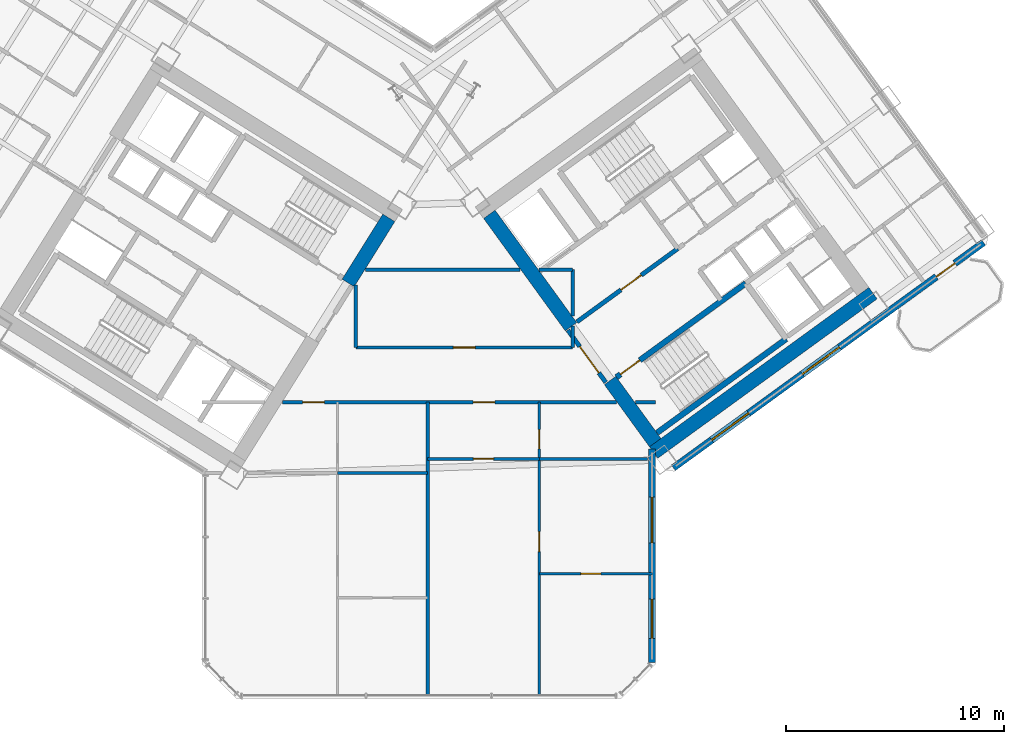
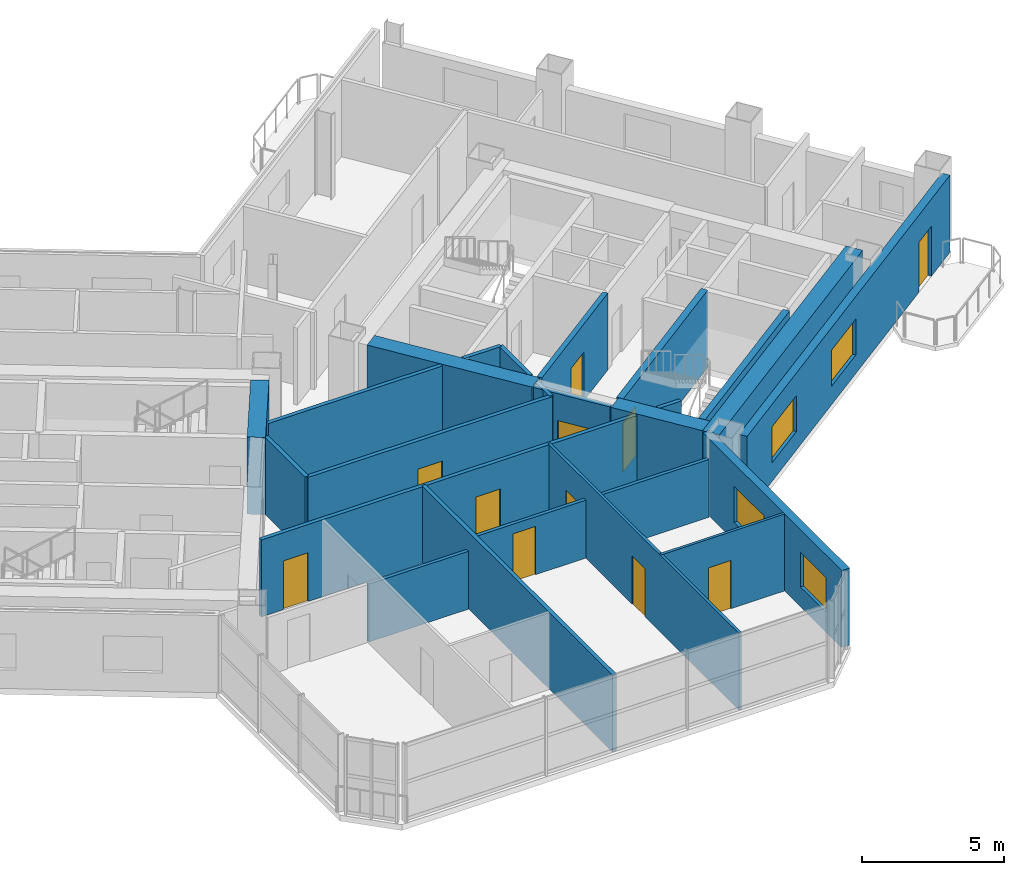
# One storey, part 13 of 21: 24 walls, 11 doors, 4 windows, 15 openings.
"""IFC4 building model written with IfcOpenShell, lengths in metres."""

from ifc_helpers import new_model, si_unit, direction, frame, frame_2d, origin, place, context, subcontext, project, spatial, rectangle, extrude, source, transform, mapped, material, layer, layer_set, type_object, element, fill, save


model = new_model("IFC4")

# Units and contexts
model_context = context("Model", 3, precision=1e-05, world=origin(), true_north=direction((0.0, 1.0)))
body_context = subcontext(model_context, "Body", "Model", "MODEL_VIEW")
ifc_project = project(units=[si_unit("LENGTHUNIT", "METRE"), si_unit("AREAUNIT", "SQUARE_METRE"), si_unit("VOLUMEUNIT", "CUBIC_METRE"), si_unit("PLANEANGLEUNIT", "RADIAN"), si_unit("MASSUNIT", "GRAM", prefix="KILO")], contexts=[model_context])

# Site, building, storey
site_placement = place(None, origin())
site = spatial("IfcSite", under=ifc_project, at=site_placement, CompositionType="ELEMENT")
building_placement = place(site_placement, origin())
building = spatial("IfcBuilding", under=site, at=building_placement, Name="Tlacorven Tower", CompositionType="ELEMENT")
storey_placement = place(building_placement, frame((0.0, 0.0, 81.0)))
storey = spatial("IfcBuildingStorey", under=building, at=storey_placement, Name="L20", CompositionType="ELEMENT", Elevation=81.0)

# Walls
ifc_material_1 = material(Name="Concrete C60/75", Category="concrete")
ifc_layer_1 = layer(ifc_material_1, 0.64990234375)
ifc_layer_set_1 = layer_set([ifc_layer_1], Name="Concrete C60/75")
wall_type_1 = type_object("IfcWallType", Name="WL-COR-650", PredefinedType="SHEAR", material=ifc_layer_set_1)
wall_1_placement = place(storey_placement, frame((40.167724609375, 23.880126953125, 0.0), z_axis=(0.0, 0.0, 1.0), x_axis=(-0.529893103397, -0.8480644427, 0.0)))
element("IfcWall", 1, at=wall_1_placement, inside=storey, type_object=wall_type_1, Name="L20 W core end wall E1.1", PredefinedType="SHEAR", context=body_context, shape_type="SweptSolid", body=[
    extrude(rectangle(XDim=3.525146484375, YDim=0.64990234375, at=frame_2d((1.7626953125, 0.0))), origin(), (0.0, 0.0, 1.0), 3.320068359375),
])
wall_2_placement = place(storey_placement, frame((52.318359375, 13.1103515625, 0.0), z_axis=(0.0, 0.0, 1.0), x_axis=(0.809019445368, 0.587781878776, 0.0)))
element("IfcWall", 2, at=wall_2_placement, inside=storey, type_object=wall_type_1, Name="L20 E core shear wall S1", PredefinedType="SHEAR", context=body_context, shape_type="SweptSolid", body=[
    extrude(rectangle(XDim=12.43994140625, YDim=0.64990234375, at=frame_2d((6.219970703125, 0.0))), origin(), (0.0, 0.0, 1.0), 3.320068359375),
])
wall_3_placement = place(storey_placement, frame((52.390380859375, 13.564208984375, 0.0), z_axis=(0.0, 0.0, 1.0), x_axis=(-0.58779688989, 0.809008539037, 0.0)))
element("IfcWall", 3, at=wall_3_placement, inside=storey, type_object=wall_type_1, Name="L20 E core end wall E1.1", PredefinedType="SHEAR", context=body_context, shape_type="SweptSolid", body=[
    extrude(rectangle(XDim=3.525146484375, YDim=0.64990234375, at=frame_2d((1.7626953125, 0.0))), origin(), (0.0, 0.0, 1.0), 3.320068359375),
])
wall_4_placement = place(storey_placement, frame((48.525634765625, 18.883544921875, 0.0), z_axis=(0.0, 0.0, 1.0), x_axis=(-0.58777996584, 0.809020835181, 0.0)))
element("IfcWall", 4, at=wall_4_placement, inside=storey, type_object=wall_type_1, Name="L20 E core end wall E1.2", PredefinedType="SHEAR", context=body_context, shape_type="SweptSolid", body=[
    extrude(rectangle(XDim=6.375, YDim=0.64990234375, at=frame_2d((3.1875, 0.0))), origin(), (0.0, 0.0, 1.0), 3.320068359375),
])

# Wall, openings, doors
ifc_material_2 = material(Name="Gypsum plasterboard acoustic partition", Category="gypsum")
ifc_layer_2 = layer(ifc_material_2, 0.159912109375)
ifc_layer_set_2 = layer_set([ifc_layer_2], Name="Gypsum plasterboard acoustic partition")
wall_type_2 = type_object("IfcWallType", Name="WL-DEM-160", PredefinedType="PARTITIONING", material=ifc_layer_set_2)
wall_5_placement = place(storey_placement, frame((35.29638671875, 15.419921875, 0.0), z_axis=(0.0, 0.0, 1.0), x_axis=(1.0, 0.0, 0.0)))
wall_5 = element("IfcWall", 5, at=wall_5_placement, inside=storey, type_object=wall_type_2, Name="L20 Knuckle Corridor South Wall", PredefinedType="PARTITIONING", context=body_context, shape_type="SweptSolid", body=[
    extrude(rectangle(XDim=15.310546875, YDim=0.159912109375, at=frame_2d((7.6552734375, 0.0))), origin(), (0.0, 0.0, 1.0), 3.31005859375),
])
opening_1_placement = place(wall_5_placement, frame((0.91015625, 0.0, 0.0)))
opening_1 = element("IfcOpeningElement", 6, at=opening_1_placement, cuts=wall_5, Name="Opening D11", PredefinedType="OPENING", context=body_context, shape_type="SweptSolid", body=[
    extrude(rectangle(XDim=1.0, YDim=2.10009765625, at=frame_2d((0.5, 1.050048828125))), frame((0.0, 0.08984375, 0.0), z_axis=(0.0, -1.0, 0.0), x_axis=(1.0, 0.0, 0.0)), (0.0, 0.0, 1.0), 0.179931640625),
])
opening_2_placement = place(wall_5_placement, frame((8.73974609375, 0.0, 0.0)))
opening_2 = element("IfcOpeningElement", 7, at=opening_2_placement, cuts=wall_5, Name="Opening D11", PredefinedType="OPENING", context=body_context, shape_type="SweptSolid", body=[
    extrude(rectangle(XDim=1.0, YDim=2.10009765625, at=frame_2d((0.5, 1.050048828125))), frame((0.0, 0.08984375, 0.0), z_axis=(0.0, -1.0, 0.0), x_axis=(1.0, 0.0, 0.0)), (0.0, 0.0, 1.0), 0.179931640625),
])
ifc_material_3 = material(Name="Fire-rated steel door assembly", Category="steel")
door_type_1 = type_object("IfcDoorType", Name="DR-FLT-FD60-1000", OperationType="NOTDEFINED", PredefinedType="DOOR", material=ifc_material_3)
shared_shape_1 = source(origin(), body_context, "Body", "SweptSolid", [
    extrude(rectangle(XDim=1.0, YDim=2.10009765625, at=frame_2d((0.5, 1.050048828125))), frame((0.0, 0.02490234375, 0.0), z_axis=(0.0, -1.0, 0.0), x_axis=(1.0, 0.0, 0.0)), (0.0, 0.0, 1.0), 0.050048828125),
])
door_1_placement = place(opening_1_placement, frame((1.0, 0.0, 0.0), z_axis=(0.0, 0.0, 1.0), x_axis=(-1.0, 0.0, 0.0)))
door_1 = element("IfcDoor", 8, at=door_1_placement, inside=storey, type_object=door_type_1, Name="L20 door 047", OperationType="SINGLE_SWING_LEFT", OverallHeight=2.10009765625, OverallWidth=1.0, PredefinedType="DOOR", context=body_context, shape_type="MappedRepresentation", body=[
    mapped(shared_shape_1, transform((0.0, 0.0, 0.0), scale=1.0)),
])
fill(opening_1, door_1)
door_2_placement = place(opening_2_placement, frame((1.0, 0.0, 0.0), z_axis=(0.0, 0.0, 1.0), x_axis=(-1.0, 0.0, 0.0)))
door_2 = element("IfcDoor", 9, at=door_2_placement, inside=storey, type_object=door_type_1, Name="L20 door 052", OperationType="SINGLE_SWING_RIGHT", OverallHeight=2.10009765625, OverallWidth=1.0, PredefinedType="DOOR", context=body_context, shape_type="MappedRepresentation", body=[
    mapped(shared_shape_1, transform((0.0, 0.0, 0.0), scale=1.0)),
])
fill(opening_2, door_2)

# Wall
wall_6_placement = place(storey_placement, frame((51.477294921875, 15.419921875, 0.0), z_axis=(0.0, 0.0, 1.0), x_axis=(1.0, 0.0, 0.0)))
element("IfcWall", 10, at=wall_6_placement, inside=storey, type_object=wall_type_2, Name="L20 Knuckle Corridor South Wall", PredefinedType="PARTITIONING", context=body_context, shape_type="SweptSolid", body=[
    extrude(rectangle(XDim=0.922607421875, YDim=0.159912109375, at=frame_2d((0.46142578125, 0.0))), origin(), (0.0, 0.0, 1.0), 3.31005859375),
])

# Wall, opening, door
wall_7_placement = place(storey_placement, frame((38.64990234375, 17.929931640625, 0.0), z_axis=(0.0, 0.0, 1.0), x_axis=(1.0, 0.0, 0.0)))
wall_7 = element("IfcWall", 11, at=wall_7_placement, inside=storey, type_object=wall_type_2, Name="L20 partition 76", PredefinedType="PARTITIONING", context=body_context, shape_type="SweptSolid", body=[
    extrude(rectangle(XDim=9.9501953125, YDim=0.159912109375, at=frame_2d((4.97509765625, 0.0))), origin(), (0.0, 0.0, 1.0), 3.31005859375),
])
opening_3_placement = place(wall_7_placement, frame((4.47509765625, 0.0, 0.0)))
opening_3 = element("IfcOpeningElement", 12, at=opening_3_placement, cuts=wall_7, Name="Opening D11", PredefinedType="OPENING", context=body_context, shape_type="SweptSolid", body=[
    extrude(rectangle(XDim=1.0, YDim=2.10009765625, at=frame_2d((0.5, 1.050048828125))), frame((0.0, 0.08984375, 0.0), z_axis=(0.0, -1.0, 0.0), x_axis=(1.0, 0.0, 0.0)), (0.0, 0.0, 1.0), 0.179931640625),
])
door_3_placement = place(opening_3_placement, origin())
door_3 = element("IfcDoor", 13, at=door_3_placement, inside=storey, type_object=door_type_1, Name="L20 door 042", OperationType="SINGLE_SWING_RIGHT", OverallHeight=2.10009765625, OverallWidth=1.0, PredefinedType="DOOR", context=body_context, shape_type="MappedRepresentation", body=[
    mapped(shared_shape_1, transform((0.0, 0.0, 0.0), scale=1.0)),
])
fill(opening_3, door_3)

# Walls
wall_8_placement = place(storey_placement, frame((38.64990234375, 17.929931640625, 0.0), z_axis=(0.0, 0.0, 1.0), x_axis=(0.0, 1.0, 0.0)))
element("IfcWall", 14, at=wall_8_placement, inside=storey, type_object=wall_type_2, Name="L20 partition 77", PredefinedType="PARTITIONING", context=body_context, shape_type="SweptSolid", body=[
    extrude(rectangle(XDim=2.85693359375, YDim=0.159912109375, at=frame_2d((1.428466796875, 0.0))), origin(), (0.0, 0.0, 1.0), 3.31005859375),
])
wall_9_placement = place(storey_placement, frame((48.60009765625, 17.929931640625, 0.0), z_axis=(0.0, 0.0, 1.0), x_axis=(0.0, 1.0, 0.0)))
element("IfcWall", 15, at=wall_9_placement, inside=storey, type_object=wall_type_2, Name="L20 partition 78", PredefinedType="PARTITIONING", context=body_context, shape_type="SweptSolid", body=[
    extrude(rectangle(XDim=0.99267578125, YDim=0.159912109375, at=frame_2d((0.496337890625, 0.0))), origin(), (0.0, 0.0, 1.0), 3.31005859375),
])
wall_10_placement = place(storey_placement, frame((48.60009765625, 19.380126953125, 0.0), z_axis=(0.0, 0.0, 1.0), x_axis=(0.0, 1.0, 0.0)))
element("IfcWall", 16, at=wall_10_placement, inside=storey, type_object=wall_type_2, Name="L20 partition 78", PredefinedType="PARTITIONING", context=body_context, shape_type="SweptSolid", body=[
    extrude(rectangle(XDim=2.119873046875, YDim=0.159912109375, at=frame_2d((1.06005859375, 0.0))), origin(), (0.0, 0.0, 1.0), 3.31005859375),
])
wall_11_placement = place(storey_placement, frame((39.095458984375, 21.5, 0.0), z_axis=(0.0, 0.0, 1.0), x_axis=(1.0, 0.0, 0.0)))
element("IfcWall", 17, at=wall_11_placement, inside=storey, type_object=wall_type_2, Name="L20 partition 79", PredefinedType="PARTITIONING", context=body_context, shape_type="SweptSolid", body=[
    extrude(rectangle(XDim=7.09423828125, YDim=0.159912109375, at=frame_2d((3.547119140625, 0.0))), origin(), (0.0, 0.0, 1.0), 3.31005859375),
])
wall_12_placement = place(storey_placement, frame((47.059814453125, 21.5, 0.0), z_axis=(0.0, 0.0, 1.0), x_axis=(1.0, 0.0, 0.0)))
element("IfcWall", 18, at=wall_12_placement, inside=storey, type_object=wall_type_2, Name="L20 partition 79", PredefinedType="PARTITIONING", context=body_context, shape_type="SweptSolid", body=[
    extrude(rectangle(XDim=1.540283203125, YDim=0.159912109375, at=frame_2d((0.77001953125, 0.0))), origin(), (0.0, 0.0, 1.0), 3.31005859375),
])
wall_13_placement = place(storey_placement, frame((41.949951171875, 1.9599609375, 0.0), z_axis=(0.0, 0.0, 1.0), x_axis=(0.0, 1.0, 0.0)))
element("IfcWall", 19, at=wall_13_placement, inside=storey, type_object=wall_type_2, Name="L20 Knuckle Demising Wall 1", PredefinedType="PARTITIONING", context=body_context, shape_type="SweptSolid", body=[
    extrude(rectangle(XDim=13.4599609375, YDim=0.159912109375, at=frame_2d((6.72998046875, 0.0))), origin(), (0.0, 0.0, 1.0), 3.31005859375),
])

# Wall, openings, door, windows
ifc_material_4 = material(Name="Precast concrete C45/55", Category="concrete")
ifc_layer_3 = layer(ifc_material_4, 0.320068359375)
ifc_layer_set_3 = layer_set([ifc_layer_3], Name="Precast concrete C45/55")
wall_type_3 = type_object("IfcWallType", Name="WL-EXT-320", PredefinedType="STANDARD", material=ifc_layer_set_3)
wall_14_placement = place(storey_placement, frame((67.45361328125, 22.746826171875, 0.0), z_axis=(0.0, 0.0, 1.0), x_axis=(-0.809021120468, -0.587779573171, 0.0)))
wall_14 = element("IfcWall", 20, at=wall_14_placement, inside=storey, type_object=wall_type_3, Name="L20 Masonry-Frame Recessed Facade Wall 6", PredefinedType="STANDARD", context=body_context, shape_type="SweptSolid", body=[
    extrude(rectangle(XDim=17.587646484375, YDim=0.320068359375, at=frame_2d((8.7939453125, 0.0))), origin(), (0.0, 0.0, 1.0), 3.320068359375),
])
opening_4_placement = place(wall_14_placement, frame((1.623779296875, 0.0, 0.0)))
opening_4 = element("IfcOpeningElement", 21, at=opening_4_placement, cuts=wall_14, Name="Opening D06", PredefinedType="OPENING", context=body_context, shape_type="SweptSolid", body=[
    extrude(rectangle(XDim=1.050048828125, YDim=2.14990234375, at=frame_2d((0.52490234375, 1.074951171875))), frame((0.0, 0.169921875, 0.0), z_axis=(0.0, -1.0, 0.0), x_axis=(1.0, 0.0, 0.0)), (0.0, 0.0, 1.0), 0.340087890625),
])
opening_5_placement = place(wall_14_placement, frame((8.168701171875, 0.0, 0.800048828125)))
opening_5 = element("IfcOpeningElement", 22, at=opening_5_placement, cuts=wall_14, Name="Opening WN04", PredefinedType="OPENING", context=body_context, shape_type="SweptSolid", body=[
    extrude(rectangle(XDim=2.10009765625, YDim=1.550048828125, at=frame_2d((1.050048828125, 0.77490234375))), frame((0.0, 0.169921875, 0.0), z_axis=(0.0, -1.0, 0.0), x_axis=(1.0, 0.0, 0.0)), (0.0, 0.0, 1.0), 0.340087890625),
])
opening_6_placement = place(wall_14_placement, frame((13.318603515625, 0.0, 0.800048828125)))
opening_6 = element("IfcOpeningElement", 23, at=opening_6_placement, cuts=wall_14, Name="Opening WN04", PredefinedType="OPENING", context=body_context, shape_type="SweptSolid", body=[
    extrude(rectangle(XDim=2.10009765625, YDim=1.550048828125, at=frame_2d((1.050048828125, 0.77490234375))), frame((0.0, 0.169921875, 0.0), z_axis=(0.0, -1.0, 0.0), x_axis=(1.0, 0.0, 0.0)), (0.0, 0.0, 1.0), 0.340087890625),
])
ifc_material_5 = material(Name="Powder-coated aluminium and timber door", Category="wood")
door_type_2 = type_object("IfcDoorType", Name="DR-EXT-BALC-1050", OperationType="NOTDEFINED", PredefinedType="DOOR", material=ifc_material_5)
shared_shape_2 = source(origin(), body_context, "Body", "SweptSolid", [
    extrude(rectangle(XDim=1.050048828125, YDim=2.14990234375, at=frame_2d((0.52490234375, 1.074951171875))), frame((0.0, 0.02490234375, 0.0), z_axis=(0.0, -1.0, 0.0), x_axis=(1.0, 0.0, 0.0)), (0.0, 0.0, 1.0), 0.050048828125),
])
door_4_placement = place(opening_4_placement, origin())
door_4 = element("IfcDoor", 24, at=door_4_placement, inside=storey, type_object=door_type_2, Name="L20 Outdoor Access Door BAL-L20-E-OUT", OperationType="SINGLE_SWING_LEFT", OverallHeight=2.14990234375, OverallWidth=1.050048828125, PredefinedType="DOOR", context=body_context, shape_type="MappedRepresentation", body=[
    mapped(shared_shape_2, transform((0.0, 0.0, 0.0), scale=1.0)),
])
fill(opening_4, door_4)
ifc_material_6 = material(Name="Dark solar low-E double glazing in anodised aluminium frame", Category="aluminium")
window_type_1 = type_object("IfcWindowType", Name="WN-APT-2100X1750", PartitioningType="SINGLE_PANEL", PredefinedType="WINDOW", material=ifc_material_6)
shared_shape_3 = source(origin(), body_context, "Body", "SweptSolid", [
    extrude(rectangle(XDim=2.10009765625, YDim=1.550048828125, at=frame_2d((1.050048828125, 0.77490234375))), frame((0.0, 0.030029296875, 0.0), z_axis=(0.0, -1.0, 0.0), x_axis=(1.0, 0.0, 0.0)), (0.0, 0.0, 1.0), 0.06005859375),
])
window_1_placement = place(opening_5_placement, origin())
window_1 = element("IfcWindow", 25, at=window_1_placement, inside=storey, type_object=window_type_1, Name="L20 Recessed Masonry-Frame Window L20-06.1", OverallHeight=1.550048828125, OverallWidth=2.10009765625, PartitioningType="SINGLE_PANEL", PredefinedType="WINDOW", context=body_context, shape_type="MappedRepresentation", body=[
    mapped(shared_shape_3, transform((0.0, 0.0, 0.0), scale=1.0)),
])
fill(opening_5, window_1)
window_2_placement = place(opening_6_placement, origin())
window_2 = element("IfcWindow", 26, at=window_2_placement, inside=storey, type_object=window_type_1, Name="L20 Recessed Masonry-Frame Window L20-06.2", OverallHeight=1.550048828125, OverallWidth=2.10009765625, PartitioningType="SINGLE_PANEL", PredefinedType="WINDOW", context=body_context, shape_type="MappedRepresentation", body=[
    mapped(shared_shape_3, transform((0.0, 0.0, 0.0), scale=1.0)),
])
fill(opening_6, window_2)

# Wall, openings, windows
wall_15_placement = place(storey_placement, frame((52.239990234375, 13.260986328125, 0.0), z_axis=(0.0, 0.0, 1.0), x_axis=(0.0, -1.0, 0.0)))
wall_15 = element("IfcWall", 27, at=wall_15_placement, inside=storey, type_object=wall_type_3, Name="L20 Masonry-Frame Recessed Facade Wall 7", PredefinedType="STANDARD", context=body_context, shape_type="SweptSolid", body=[
    extrude(rectangle(XDim=9.794677734375, YDim=0.320068359375, at=frame_2d((4.8974609375, 0.0))), origin(), (0.0, 0.0, 1.0), 3.320068359375),
])
opening_7_placement = place(wall_15_placement, frame((2.199462890625, 0.0, 0.800048828125)))
opening_7 = element("IfcOpeningElement", 28, at=opening_7_placement, cuts=wall_15, Name="Opening WN04", PredefinedType="OPENING", context=body_context, shape_type="SweptSolid", body=[
    extrude(rectangle(XDim=2.10009765625, YDim=1.550048828125, at=frame_2d((1.050048828125, 0.77490234375))), frame((0.0, 0.169921875, 0.0), z_axis=(0.0, -1.0, 0.0), x_axis=(1.0, 0.0, 0.0)), (0.0, 0.0, 1.0), 0.340087890625),
])
opening_8_placement = place(wall_15_placement, frame((6.880126953125, 0.0, 0.85009765625)))
opening_8 = element("IfcOpeningElement", 29, at=opening_8_placement, cuts=wall_15, Name="Opening WN01", PredefinedType="OPENING", context=body_context, shape_type="SweptSolid", body=[
    extrude(rectangle(XDim=1.800048828125, YDim=1.5, at=frame_2d((0.89990234375, 0.75))), frame((0.0, 0.169921875, 0.0), z_axis=(0.0, -1.0, 0.0), x_axis=(1.0, 0.0, 0.0)), (0.0, 0.0, 1.0), 0.340087890625),
])
window_3_placement = place(opening_7_placement, origin())
window_3 = element("IfcWindow", 30, at=window_3_placement, inside=storey, type_object=window_type_1, Name="L20 Recessed Masonry-Frame Window L20-07.1", OverallHeight=1.550048828125, OverallWidth=2.10009765625, PartitioningType="SINGLE_PANEL", PredefinedType="WINDOW", context=body_context, shape_type="MappedRepresentation", body=[
    mapped(shared_shape_3, transform((0.0, 0.0, 0.0), scale=1.0)),
])
fill(opening_7, window_3)
window_type_2 = type_object("IfcWindowType", Name="WN-APT-1800X1650", PartitioningType="SINGLE_PANEL", PredefinedType="WINDOW", material=ifc_material_6)
shared_shape_4 = source(origin(), body_context, "Body", "SweptSolid", [
    extrude(rectangle(XDim=1.800048828125, YDim=1.5, at=frame_2d((0.89990234375, 0.75))), frame((0.0, 0.030029296875, 0.0), z_axis=(0.0, -1.0, 0.0), x_axis=(1.0, 0.0, 0.0)), (0.0, 0.0, 1.0), 0.06005859375),
])
window_4_placement = place(opening_8_placement, origin())
window_4 = element("IfcWindow", 31, at=window_4_placement, inside=storey, type_object=window_type_2, Name="L20 Recessed Masonry-Frame Window L20-07.2", OverallHeight=1.5, OverallWidth=1.800048828125, PartitioningType="SINGLE_PANEL", PredefinedType="WINDOW", context=body_context, shape_type="MappedRepresentation", body=[
    mapped(shared_shape_4, transform((0.0, 0.0, 0.0), scale=1.0)),
])
fill(opening_8, window_4)

# Wall, openings, doors
ifc_material_7 = material(Name="Gypsum plasterboard partition", Category="gypsum")
ifc_layer_4 = layer(ifc_material_7, 0.110107421875)
ifc_layer_set_4 = layer_set([ifc_layer_4], Name="Gypsum plasterboard partition")
wall_type_4 = type_object("IfcWallType", Name="WL-INT-110", PredefinedType="PARTITIONING", material=ifc_layer_set_4)
wall_16_placement = place(storey_placement, frame((47.072021484375, 1.9599609375, 0.0), z_axis=(0.0, 0.0, 1.0), x_axis=(0.0, 1.0, 0.0)))
wall_16 = element("IfcWall", 32, at=wall_16_placement, inside=storey, type_object=wall_type_4, Name="L20 partition 86", PredefinedType="PARTITIONING", context=body_context, shape_type="SweptSolid", body=[
    extrude(rectangle(XDim=13.4599609375, YDim=0.110107421875, at=frame_2d((6.72998046875, 0.0))), origin(), (0.0, 0.0, 1.0), 3.31005859375),
])
opening_9_placement = place(wall_16_placement, frame((6.60009765625, 0.0, 0.0)))
opening_9 = element("IfcOpeningElement", 33, at=opening_9_placement, cuts=wall_16, Name="Opening D12", PredefinedType="OPENING", context=body_context, shape_type="SweptSolid", body=[
    extrude(rectangle(XDim=0.919921875, YDim=2.080078125, at=frame_2d((0.4599609375, 1.0400390625))), frame((0.0, 0.06494140625, 0.0), z_axis=(0.0, -1.0, 0.0), x_axis=(1.0, 0.0, 0.0)), (0.0, 0.0, 1.0), 0.130126953125),
])
opening_10_placement = place(wall_16_placement, frame((11.320068359375, 0.0, 0.0)))
opening_10 = element("IfcOpeningElement", 34, at=opening_10_placement, cuts=wall_16, Name="Opening D13", PredefinedType="OPENING", context=body_context, shape_type="SweptSolid", body=[
    extrude(rectangle(XDim=0.8798828125, YDim=2.080078125, at=frame_2d((0.43994140625, 1.0400390625))), frame((0.0, 0.06494140625, 0.0), z_axis=(0.0, -1.0, 0.0), x_axis=(1.0, 0.0, 0.0)), (0.0, 0.0, 1.0), 0.130126953125),
])
door_type_3 = type_object("IfcDoorType", Name="DR-INT-WET-0880", OperationType="NOTDEFINED", PredefinedType="DOOR", material=ifc_material_5)
shared_shape_5 = source(origin(), body_context, "Body", "SweptSolid", [
    extrude(rectangle(XDim=0.8798828125, YDim=2.080078125, at=frame_2d((0.43994140625, 1.0400390625))), frame((0.0, 0.02490234375, 0.0), z_axis=(0.0, -1.0, 0.0), x_axis=(1.0, 0.0, 0.0)), (0.0, 0.0, 1.0), 0.050048828125),
])
door_5_placement = place(opening_10_placement, origin())
door_5 = element("IfcDoor", 35, at=door_5_placement, inside=storey, type_object=door_type_3, Name="L20 door 054", OperationType="SINGLE_SWING_RIGHT", OverallHeight=2.080078125, OverallWidth=0.8798828125, PredefinedType="DOOR", context=body_context, shape_type="MappedRepresentation", body=[
    mapped(shared_shape_5, transform((0.0, 0.0, 0.0), scale=1.0)),
])
fill(opening_10, door_5)
door_type_4 = type_object("IfcDoorType", Name="DR-INT-ROOM-0920", OperationType="NOTDEFINED", PredefinedType="DOOR", material=ifc_material_5)
shared_shape_6 = source(origin(), body_context, "Body", "SweptSolid", [
    extrude(rectangle(XDim=0.919921875, YDim=2.080078125, at=frame_2d((0.4599609375, 1.0400390625))), frame((0.0, 0.02490234375, 0.0), z_axis=(0.0, -1.0, 0.0), x_axis=(1.0, 0.0, 0.0)), (0.0, 0.0, 1.0), 0.050048828125),
])
door_6_placement = place(opening_9_placement, origin())
door_6 = element("IfcDoor", 36, at=door_6_placement, inside=storey, type_object=door_type_4, Name="L20 door 050", OperationType="SINGLE_SWING_RIGHT", OverallHeight=2.080078125, OverallWidth=0.919921875, PredefinedType="DOOR", context=body_context, shape_type="MappedRepresentation", body=[
    mapped(shared_shape_6, transform((0.0, 0.0, 0.0), scale=1.0)),
])
fill(opening_9, door_6)

# Wall, opening, door
wall_17_placement = place(storey_placement, frame((47.072021484375, 7.550048828125, 0.0), z_axis=(0.0, 0.0, 1.0), x_axis=(1.0, 0.0, 0.0)))
wall_17 = element("IfcWall", 37, at=wall_17_placement, inside=storey, type_object=wall_type_4, Name="L20 partition 89", PredefinedType="PARTITIONING", context=body_context, shape_type="SweptSolid", body=[
    extrude(rectangle(XDim=5.18798828125, YDim=0.110107421875, at=frame_2d((2.593994140625, 0.0))), origin(), (0.0, 0.0, 1.0), 3.31005859375),
])
opening_11_placement = place(wall_17_placement, frame((1.904052734375, 0.0, 0.0)))
opening_11 = element("IfcOpeningElement", 38, at=opening_11_placement, cuts=wall_17, Name="Opening D12", PredefinedType="OPENING", context=body_context, shape_type="SweptSolid", body=[
    extrude(rectangle(XDim=0.919921875, YDim=2.080078125, at=frame_2d((0.4599609375, 1.0400390625))), frame((0.0, 0.06494140625, 0.0), z_axis=(0.0, -1.0, 0.0), x_axis=(1.0, 0.0, 0.0)), (0.0, 0.0, 1.0), 0.130126953125),
])
door_7_placement = place(opening_11_placement, origin())
door_7 = element("IfcDoor", 39, at=door_7_placement, inside=storey, type_object=door_type_4, Name="L20 door 051", OperationType="SINGLE_SWING_LEFT", OverallHeight=2.080078125, OverallWidth=0.919921875, PredefinedType="DOOR", context=body_context, shape_type="MappedRepresentation", body=[
    mapped(shared_shape_6, transform((0.0, 0.0, 0.0), scale=1.0)),
])
fill(opening_11, door_7)

# Wall
ifc_material_8 = material(Name="Moisture-resistant gypsum plumbing wall", Category="gypsum")
ifc_layer_5 = layer(ifc_material_8, 0.139892578125)
ifc_layer_set_5 = layer_set([ifc_layer_5], Name="Moisture-resistant gypsum plumbing wall")
wall_type_5 = type_object("IfcWallType", Name="WL-PLM-140", PredefinedType="PLUMBINGWALL", material=ifc_layer_set_5)
wall_18_placement = place(storey_placement, frame((37.81298828125, 12.169921875, 0.0), z_axis=(0.0, 0.0, 1.0), x_axis=(1.0, 0.0, 0.0)))
element("IfcWall", 40, at=wall_18_placement, inside=storey, type_object=wall_type_5, Name="L20 partition 84", PredefinedType="PLUMBINGWALL", context=body_context, shape_type="SweptSolid", body=[
    extrude(rectangle(XDim=4.136962890625, YDim=0.139892578125, at=frame_2d((2.068359375, 0.0))), origin(), (0.0, 0.0, 1.0), 2.4951171875),
])

# Wall, opening, door
wall_19_placement = place(storey_placement, frame((41.949951171875, 12.820068359375, 0.0), z_axis=(0.0, 0.0, 1.0), x_axis=(1.0, 0.0, 0.0)))
wall_19 = element("IfcWall", 41, at=wall_19_placement, inside=storey, type_object=wall_type_5, Name="L20 partition 87", PredefinedType="PLUMBINGWALL", context=body_context, shape_type="SweptSolid", body=[
    extrude(rectangle(XDim=5.1220703125, YDim=0.139892578125, at=frame_2d((2.56103515625, 0.0))), origin(), (0.0, 0.0, 1.0), 2.4951171875),
])
opening_12_placement = place(wall_19_placement, frame((2.10107421875, 0.0, 0.0)))
opening_12 = element("IfcOpeningElement", 42, at=opening_12_placement, cuts=wall_19, Name="Opening D12", PredefinedType="OPENING", context=body_context, shape_type="SweptSolid", body=[
    extrude(rectangle(XDim=0.919921875, YDim=2.080078125, at=frame_2d((0.4599609375, 1.0400390625))), frame((0.0, 0.080078125, 0.0), z_axis=(0.0, -1.0, 0.0), x_axis=(1.0, 0.0, 0.0)), (0.0, 0.0, 1.0), 0.159912109375),
])
door_8_placement = place(opening_12_placement, frame((0.919921875, 0.0, 0.0), z_axis=(0.0, 0.0, 1.0), x_axis=(-1.0, 0.0, 0.0)))
door_8 = element("IfcDoor", 43, at=door_8_placement, inside=storey, type_object=door_type_4, Name="L20 door 053", OperationType="SINGLE_SWING_LEFT", OverallHeight=2.080078125, OverallWidth=0.919921875, PredefinedType="DOOR", context=body_context, shape_type="MappedRepresentation", body=[
    mapped(shared_shape_6, transform((0.0, 0.0, 0.0), scale=1.0)),
])
fill(opening_12, door_8)

# Wall
wall_20_placement = place(storey_placement, frame((47.072021484375, 12.820068359375, 0.0), z_axis=(0.0, 0.0, 1.0), x_axis=(1.0, 0.0, 0.0)))
element("IfcWall", 44, at=wall_20_placement, inside=storey, type_object=wall_type_5, Name="L20 partition 88", PredefinedType="PLUMBINGWALL", context=body_context, shape_type="SweptSolid", body=[
    extrude(rectangle(XDim=4.966552734375, YDim=0.139892578125, at=frame_2d((2.4833984375, 0.0))), origin(), (0.0, 0.0, 1.0), 2.4951171875),
])

# Wall, opening, door
ifc_material_9 = material(Name="Concrete C40/50", Category="concrete")
ifc_layer_6 = layer(ifc_material_9, 0.199951171875)
ifc_layer_set_6 = layer_set([ifc_layer_6], Name="Concrete C40/50")
wall_type_6 = type_object("IfcWallType", Name="WL-SHF-200", PredefinedType="STANDARD", material=ifc_layer_set_6)
wall_21_placement = place(storey_placement, frame((48.798828125, 19.106689453125, 0.0), z_axis=(0.0, 0.0, 1.0), x_axis=(0.809012959416, 0.587790805897, 0.0)))
wall_21 = element("IfcWall", 45, at=wall_21_placement, inside=storey, type_object=wall_type_6, Name="L20 Core E Smoke Lobby Wall", PredefinedType="STANDARD", context=body_context, shape_type="SweptSolid", body=[
    extrude(rectangle(XDim=5.7177734375, YDim=0.199951171875, at=frame_2d((2.85888671875, 0.0))), origin(), (0.0, 0.0, 1.0), 3.31005859375),
])
opening_13_placement = place(wall_21_placement, frame((2.498046875, 0.0, 0.0)))
opening_13 = element("IfcOpeningElement", 46, at=opening_13_placement, cuts=wall_21, Name="Opening D09", PredefinedType="OPENING", context=body_context, shape_type="SweptSolid", body=[
    extrude(rectangle(XDim=1.14990234375, YDim=2.10009765625, at=frame_2d((0.574951171875, 1.050048828125))), frame((0.0, 0.10986328125, 0.0), z_axis=(0.0, -1.0, 0.0), x_axis=(1.0, 0.0, 0.0)), (0.0, 0.0, 1.0), 0.219970703125),
])
door_type_5 = type_object("IfcDoorType", Name="DR-FFL-FD60-1150", OperationType="NOTDEFINED", PredefinedType="DOOR", material=ifc_material_3)
shared_shape_7 = source(origin(), body_context, "Body", "SweptSolid", [
    extrude(rectangle(XDim=1.14990234375, YDim=2.10009765625, at=frame_2d((0.574951171875, 1.050048828125))), frame((0.0, 0.02490234375, 0.0), z_axis=(0.0, -1.0, 0.0), x_axis=(1.0, 0.0, 0.0)), (0.0, 0.0, 1.0), 0.050048828125),
])
door_9_placement = place(opening_13_placement, origin())
door_9 = element("IfcDoor", 47, at=door_9_placement, inside=storey, type_object=door_type_5, Name="L20 Firefighting Lobby E Fire Door", OperationType="SINGLE_SWING_RIGHT", OverallHeight=2.10009765625, OverallWidth=1.14990234375, PredefinedType="DOOR", context=body_context, shape_type="MappedRepresentation", body=[
    mapped(shared_shape_7, transform((0.0, 0.0, 0.0), scale=1.0)),
])
fill(opening_13, door_9)

wall_22_placement = place(storey_placement, frame((50.119140625, 16.3330078125, 0.0), z_axis=(0.0, 0.0, 1.0), x_axis=(-0.587749856981, 0.809042709391, 0.0)))
wall_22 = element("IfcWall", 48, at=wall_22_placement, inside=storey, type_object=wall_type_6, Name="L20 partition 80", PredefinedType="STANDARD", context=body_context, shape_type="SweptSolid", body=[
    extrude(rectangle(XDim=2.9599609375, YDim=0.199951171875, at=frame_2d((1.47998046875, 0.0))), origin(), (0.0, 0.0, 1.0), 3.31005859375),
])
opening_14_placement = place(wall_22_placement, frame((0.530029296875, 0.0, 0.0)))
opening_14 = element("IfcOpeningElement", 49, at=opening_14_placement, cuts=wall_22, Name="Opening D10", PredefinedType="OPENING", context=body_context, shape_type="SweptSolid", body=[
    extrude(rectangle(XDim=1.5, YDim=2.14990234375, at=frame_2d((0.75, 1.074951171875))), frame((0.0, 0.10986328125, 0.0), z_axis=(0.0, -1.0, 0.0), x_axis=(1.0, 0.0, 0.0)), (0.0, 0.0, 1.0), 0.219970703125),
])
door_type_6 = type_object("IfcDoorType", Name="DR-LOB-FD60-1500", OperationType="DOUBLE_DOOR_SINGLE_SWING", PredefinedType="DOOR", material=ifc_material_3)
shared_shape_8 = source(origin(), body_context, "Body", "SweptSolid", [
    extrude(rectangle(XDim=1.5, YDim=2.14990234375, at=frame_2d((0.75, 1.074951171875))), frame((0.0, 0.02490234375, 0.0), z_axis=(0.0, -1.0, 0.0), x_axis=(1.0, 0.0, 0.0)), (0.0, 0.0, 1.0), 0.050048828125),
])
door_10_placement = place(opening_14_placement, frame((1.5, 0.0, 0.0), z_axis=(0.0, 0.0, 1.0), x_axis=(-1.0, 0.0, 0.0)))
door_10 = element("IfcDoor", 50, at=door_10_placement, inside=storey, type_object=door_type_6, Name="L20 door 044", OperationType="DOUBLE_DOOR_SINGLE_SWING", OverallHeight=2.14990234375, OverallWidth=1.5, PredefinedType="DOOR", context=body_context, shape_type="MappedRepresentation", body=[
    mapped(shared_shape_8, transform((0.0, 0.0, 0.0), scale=1.0)),
])
fill(opening_14, door_10)

# Wall
ifc_material_10 = material(Name="Concrete C50/60", Category="concrete")
ifc_layer_7 = layer(ifc_material_10, 0.260009765625)
ifc_layer_set_7 = layer_set([ifc_layer_7], Name="Concrete C50/60")
wall_type_7 = type_object("IfcWallType", Name="WL-STW-260", PredefinedType="SHEAR", material=ifc_layer_set_7)
wall_23_placement = place(storey_placement, frame((52.47216796875, 14.01318359375, 0.0), z_axis=(0.0, 0.0, 1.0), x_axis=(0.809028366311, 0.587769599847, 0.0)))
element("IfcWall", 51, at=wall_23_placement, inside=storey, type_object=wall_type_7, Name="L20 Stair E2 Far Shear Wall", PredefinedType="SHEAR", context=body_context, shape_type="SweptSolid", body=[
    extrude(rectangle(XDim=7.330078125, YDim=0.260009765625, at=frame_2d((3.6650390625, 0.0))), origin(), (0.0, 0.0, 1.0), 3.320068359375),
])

# Wall, opening, door
wall_24_placement = place(storey_placement, frame((50.61474609375, 16.569580078125, 0.0), z_axis=(0.0, 0.0, 1.0), x_axis=(0.809028366311, 0.587769599847, 0.0)))
wall_24 = element("IfcWall", 52, at=wall_24_placement, inside=storey, type_object=wall_type_7, Name="L20 Stair E2 Lobby Shear Wall", PredefinedType="SHEAR", context=body_context, shape_type="SweptSolid", body=[
    extrude(rectangle(XDim=7.330078125, YDim=0.260009765625, at=frame_2d((3.6650390625, 0.0))), origin(), (0.0, 0.0, 1.0), 3.320068359375),
])
opening_15_placement = place(wall_24_placement, frame((0.219970703125, 0.0, 0.0)))
opening_15 = element("IfcOpeningElement", 53, at=opening_15_placement, cuts=wall_24, Name="Opening D07", PredefinedType="OPENING", context=body_context, shape_type="SweptSolid", body=[
    extrude(rectangle(XDim=1.10009765625, YDim=2.10009765625, at=frame_2d((0.550048828125, 1.050048828125))), frame((0.0, 0.14013671875, 0.0), z_axis=(0.0, -1.0, 0.0), x_axis=(1.0, 0.0, 0.0)), (0.0, 0.0, 1.0), 0.280029296875),
])
door_type_7 = type_object("IfcDoorType", Name="DR-STR-FD90-1100", OperationType="NOTDEFINED", PredefinedType="DOOR", material=ifc_material_3)
shared_shape_9 = source(origin(), body_context, "Body", "SweptSolid", [
    extrude(rectangle(XDim=1.10009765625, YDim=2.10009765625, at=frame_2d((0.550048828125, 1.050048828125))), frame((0.0, 0.02490234375, 0.0), z_axis=(0.0, -1.0, 0.0), x_axis=(1.0, 0.0, 0.0)), (0.0, 0.0, 1.0), 0.050048828125),
])
door_11_placement = place(opening_15_placement, origin())
door_11 = element("IfcDoor", 54, at=door_11_placement, inside=storey, type_object=door_type_7, Name="L20 Exit Stair E2 Fire Door", OperationType="SINGLE_SWING_LEFT", OverallHeight=2.10009765625, OverallWidth=1.10009765625, PredefinedType="DOOR", context=body_context, shape_type="MappedRepresentation", body=[
    mapped(shared_shape_9, transform((0.0, 0.0, 0.0), scale=1.0)),
])
fill(opening_15, door_11)

save(model, "model.ifc")
